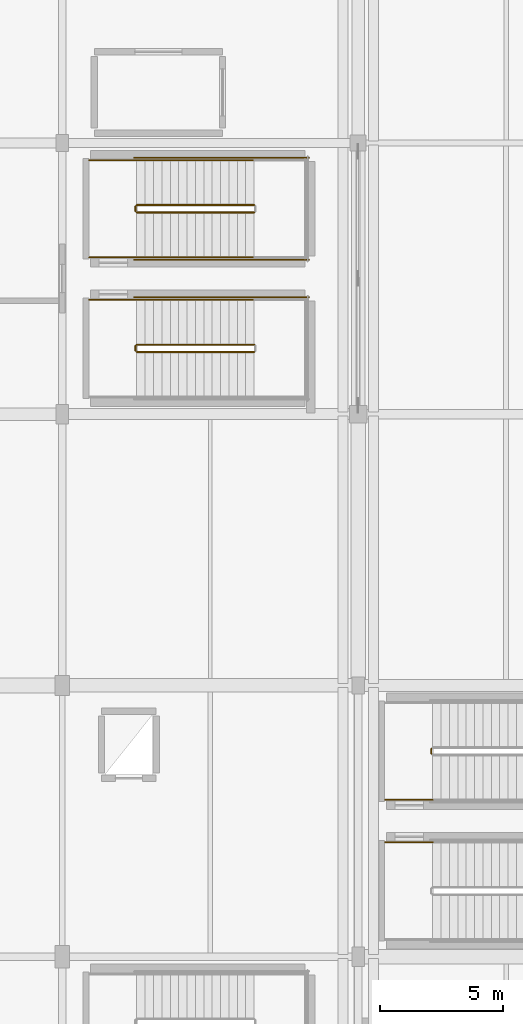
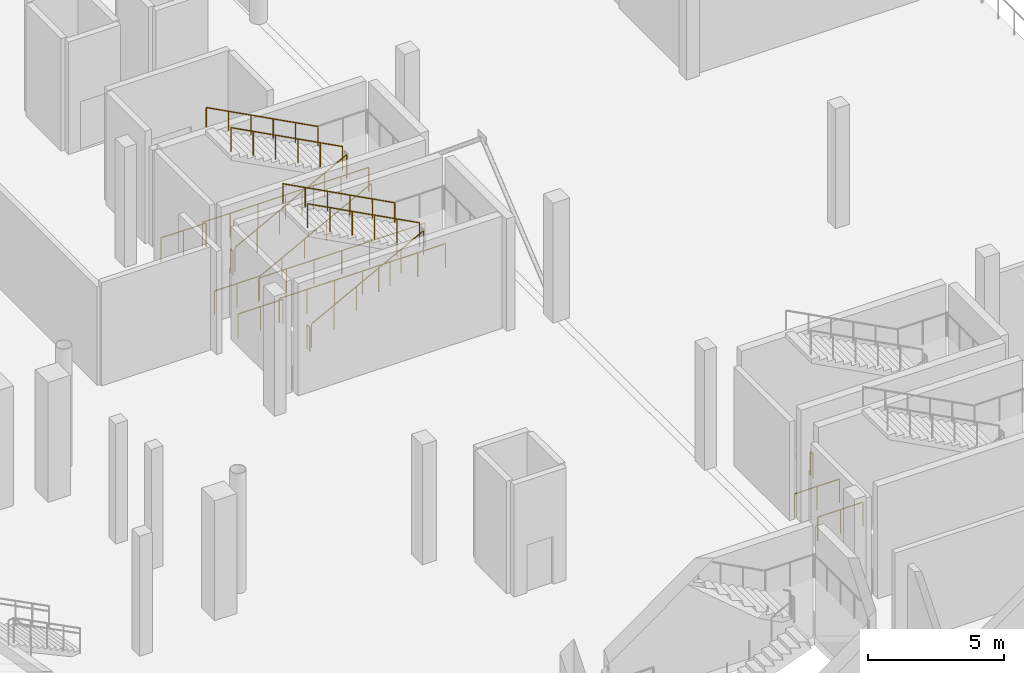
# One storey, part 116 of 120: 18 railings.
"""IFC4 building model written with IfcOpenShell, lengths in metres."""

from ifc_helpers import new_model, si_unit, direction, frame, origin, origin_2d, place, context, subcontext, project, spatial, circle, extrude, material, type_object, element, save


model = new_model("IFC4")

# Units and contexts
model_context = context("Model", 3, precision=1e-05, world=origin(), true_north=direction((0.0, 1.0)))
body_context = subcontext(model_context, "Body", "Model", "MODEL_VIEW")
ifc_project = project(units=[si_unit("LENGTHUNIT", "METRE"), si_unit("AREAUNIT", "SQUARE_METRE"), si_unit("VOLUMEUNIT", "CUBIC_METRE"), si_unit("PLANEANGLEUNIT", "RADIAN"), si_unit("MASSUNIT", "GRAM", prefix="KILO")], contexts=[model_context])

# Site, building, storey
site_placement = place(None, origin())
site = spatial("IfcSite", under=ifc_project, at=site_placement, CompositionType="ELEMENT")
building_placement = place(site_placement, origin())
building = spatial("IfcBuilding", under=site, at=building_placement, Name="Luwafu Chhajja Arena", CompositionType="ELEMENT")
storey_placement = place(building_placement, origin())
storey = spatial("IfcBuildingStorey", under=building, at=storey_placement, Name="L00", CompositionType="ELEMENT", Elevation=0.0)

# Railings
ifc_material_1 = material(Name="Stainless steel handrail", Category="steel")
railing_type_1 = type_object("IfcRailingType", Name="Stair Pitch Wall Handrail 920", PredefinedType="HANDRAIL", material=ifc_material_1)
railing_1_placement = place(storey_placement, frame((159.780029296875, 81.639892578125, 2.8798828125)))
element("IfcRailing", 1, at=railing_1_placement, inside=storey, type_object=railing_type_1, Name="L00 ST-07 stair handrail 2", PredefinedType="HANDRAIL", context=body_context, shape_type="SweptSolid", body=[
    extrude(circle(Radius=0.02392578125, at=origin_2d()), frame((0.0, 0.0, 0.8759765625), z_axis=(-0.883786813738, 0.0, 0.467889803119), x_axis=(0.0, -1.0, 0.0)), (0.0, 0.0, 1.0), 5.385986328125),
    extrude(circle(Radius=0.02099609375, at=origin_2d()), origin(), (0.0, 0.0, 1.0), 0.851806640625),
    extrude(circle(Radius=0.02099609375, at=origin_2d()), frame((-0.951904296875, 0.0, 0.50390625)), (0.0, 0.0, 1.0), 0.851806640625),
    extrude(circle(Radius=0.02099609375, at=origin_2d()), frame((-1.904052734375, 0.0, 1.008056640625)), (0.0, 0.0, 1.0), 0.851806640625),
    extrude(circle(Radius=0.02099609375, at=origin_2d()), frame((-2.85595703125, 0.0, 1.511962890625)), (0.0, 0.0, 1.0), 0.851806640625),
    extrude(circle(Radius=0.02099609375, at=origin_2d()), frame((-3.80810546875, 0.0, 2.01611328125)), (0.0, 0.0, 1.0), 0.851806640625),
    extrude(circle(Radius=0.02099609375, at=origin_2d()), frame((-4.760009765625, 0.0, 2.52001953125)), (0.0, 0.0, 1.0), 0.851806640625),
])
railing_2_placement = place(storey_placement, frame((155.02001953125, 83.360107421875, 0.179931640625)))
element("IfcRailing", 2, at=railing_2_placement, inside=storey, type_object=railing_type_1, Name="L00 ST-08 stair handrail 1", PredefinedType="HANDRAIL", context=body_context, shape_type="SweptSolid", body=[
    extrude(circle(Radius=0.02392578125, at=origin_2d()), frame((0.0, 0.0, 0.8759765625), z_axis=(0.883786813738, 0.0, 0.467889803119), x_axis=(0.0, 1.0, 0.0)), (0.0, 0.0, 1.0), 5.385986328125),
    extrude(circle(Radius=0.02099609375, at=origin_2d()), origin(), (0.0, 0.0, 1.0), 0.851806640625),
    extrude(circle(Radius=0.02099609375, at=origin_2d()), frame((0.951904296875, 0.0, 0.50390625)), (0.0, 0.0, 1.0), 0.851806640625),
    extrude(circle(Radius=0.02099609375, at=origin_2d()), frame((1.904052734375, 0.0, 1.008056640625)), (0.0, 0.0, 1.0), 0.851806640625),
    extrude(circle(Radius=0.02099609375, at=origin_2d()), frame((2.85595703125, 0.0, 1.511962890625)), (0.0, 0.0, 1.0), 0.851806640625),
    extrude(circle(Radius=0.02099609375, at=origin_2d()), frame((3.80810546875, 0.0, 2.01611328125)), (0.0, 0.0, 1.0), 0.851806640625),
    extrude(circle(Radius=0.02099609375, at=origin_2d()), frame((4.760009765625, 0.0, 2.52001953125)), (0.0, 0.0, 1.0), 0.851806640625),
])
railing_3_placement = place(storey_placement, frame((159.780029296875, 87.300048828125, 2.8798828125)))
element("IfcRailing", 3, at=railing_3_placement, inside=storey, type_object=railing_type_1, Name="L00 ST-08 stair handrail 2", PredefinedType="HANDRAIL", context=body_context, shape_type="SweptSolid", body=[
    extrude(circle(Radius=0.02392578125, at=origin_2d()), frame((0.0, 0.0, 0.8759765625), z_axis=(-0.883786813738, 0.0, 0.467889803119), x_axis=(0.0, -1.0, 0.0)), (0.0, 0.0, 1.0), 5.385986328125),
    extrude(circle(Radius=0.02099609375, at=origin_2d()), origin(), (0.0, 0.0, 1.0), 0.851806640625),
    extrude(circle(Radius=0.02099609375, at=origin_2d()), frame((-0.951904296875, 0.0, 0.50390625)), (0.0, 0.0, 1.0), 0.851806640625),
    extrude(circle(Radius=0.02099609375, at=origin_2d()), frame((-1.904052734375, 0.0, 1.008056640625)), (0.0, 0.0, 1.0), 0.851806640625),
    extrude(circle(Radius=0.02099609375, at=origin_2d()), frame((-2.85595703125, 0.0, 1.511962890625)), (0.0, 0.0, 1.0), 0.851806640625),
    extrude(circle(Radius=0.02099609375, at=origin_2d()), frame((-3.80810546875, 0.0, 2.01611328125)), (0.0, 0.0, 1.0), 0.851806640625),
    extrude(circle(Radius=0.02099609375, at=origin_2d()), frame((-4.760009765625, 0.0, 2.52001953125)), (0.0, 0.0, 1.0), 0.851806640625),
])
ifc_material_2 = material(Name="Stainless steel balustrade", Category="steel")
railing_type_2 = type_object("IfcRailingType", Name="Stair and Terrace Guard Balustrade 1100", PredefinedType="BALUSTRADE", material=ifc_material_2)
railing_4_placement = place(storey_placement, frame((155.02001953125, 79.52001953125, 0.179931640625)))
element("IfcRailing", 4, at=railing_4_placement, inside=storey, type_object=railing_type_2, Name="L00 ST-07 stair guard 1", PredefinedType="BALUSTRADE", context=body_context, shape_type="SweptSolid", body=[
    extrude(circle(Radius=0.02392578125, at=origin_2d()), frame((0.0, 0.0, 1.076171875), z_axis=(0.883786813738, 0.0, 0.467889803119), x_axis=(0.0, 1.0, 0.0)), (0.0, 0.0, 1.0), 5.385986328125),
    extrude(circle(Radius=0.02099609375, at=origin_2d()), origin(), (0.0, 0.0, 1.0), 1.052001953125),
    extrude(circle(Radius=0.02099609375, at=origin_2d()), frame((0.951904296875, 0.0, 0.50390625)), (0.0, 0.0, 1.0), 1.052001953125),
    extrude(circle(Radius=0.02099609375, at=origin_2d()), frame((1.904052734375, 0.0, 1.008056640625)), (0.0, 0.0, 1.0), 1.052001953125),
    extrude(circle(Radius=0.02099609375, at=origin_2d()), frame((2.85595703125, 0.0, 1.511962890625)), (0.0, 0.0, 1.0), 1.052001953125),
    extrude(circle(Radius=0.02099609375, at=origin_2d()), frame((3.80810546875, 0.0, 2.01611328125)), (0.0, 0.0, 1.0), 1.052001953125),
    extrude(circle(Radius=0.02099609375, at=origin_2d()), frame((4.760009765625, 0.0, 2.52001953125)), (0.0, 0.0, 1.0), 1.052001953125),
])
railing_5_placement = place(storey_placement, frame((159.780029296875, 79.820068359375, 2.8798828125)))
element("IfcRailing", 5, at=railing_5_placement, inside=storey, type_object=railing_type_2, Name="L00 ST-07 stair guard 6", PredefinedType="BALUSTRADE", context=body_context, shape_type="SweptSolid", body=[
    extrude(circle(Radius=0.02392578125, at=origin_2d()), frame((0.0, 0.0, 1.076171875), z_axis=(-0.883786813738, 0.0, 0.467889803119), x_axis=(0.0, -1.0, 0.0)), (0.0, 0.0, 1.0), 5.385986328125),
    extrude(circle(Radius=0.02099609375, at=origin_2d()), origin(), (0.0, 0.0, 1.0), 1.052001953125),
    extrude(circle(Radius=0.02099609375, at=origin_2d()), frame((-0.951904296875, 0.0, 0.50390625)), (0.0, 0.0, 1.0), 1.052001953125),
    extrude(circle(Radius=0.02099609375, at=origin_2d()), frame((-1.904052734375, 0.0, 1.008056640625)), (0.0, 0.0, 1.0), 1.052001953125),
    extrude(circle(Radius=0.02099609375, at=origin_2d()), frame((-2.85595703125, 0.0, 1.511962890625)), (0.0, 0.0, 1.0), 1.052001953125),
    extrude(circle(Radius=0.02099609375, at=origin_2d()), frame((-3.80810546875, 0.0, 2.01611328125)), (0.0, 0.0, 1.0), 1.052001953125),
    extrude(circle(Radius=0.02099609375, at=origin_2d()), frame((-4.760009765625, 0.0, 2.52001953125)), (0.0, 0.0, 1.0), 1.052001953125),
])
railing_6_placement = place(storey_placement, frame((154.969970703125, 79.570068359375, 0.0)))
element("IfcRailing", 6, at=railing_6_placement, inside=storey, type_object=railing_type_2, Name="L00 ST-07 stair guard 7", PredefinedType="BALUSTRADE", context=body_context, shape_type="SweptSolid", body=[
    extrude(circle(Radius=0.02392578125, at=origin_2d()), frame((0.0, 0.0, 1.076171875), z_axis=(0.0, 1.0, 0.0), x_axis=(-1.0, 0.0, 0.0)), (0.0, 0.0, 1.0), 0.199951171875),
    extrude(circle(Radius=0.02099609375, at=origin_2d()), origin(), (0.0, 0.0, 1.0), 1.052001953125),
    extrude(circle(Radius=0.02099609375, at=origin_2d()), frame((0.0, 0.199951171875, 0.0)), (0.0, 0.0, 1.0), 1.052001953125),
])
railing_7_placement = place(storey_placement, frame((153.10009765625, 81.639892578125, 0.0)))
element("IfcRailing", 7, at=railing_7_placement, inside=storey, type_object=railing_type_2, Name="L00 ST-07 stair guard 9", PredefinedType="BALUSTRADE", context=body_context, shape_type="SweptSolid", body=[
    extrude(circle(Radius=0.02392578125, at=origin_2d()), frame((0.0, 0.0, 1.076171875), z_axis=(1.0, 0.0, 0.0), x_axis=(0.0, 1.0, 0.0)), (0.0, 0.0, 1.0), 1.919921875),
    extrude(circle(Radius=0.02099609375, at=origin_2d()), origin(), (0.0, 0.0, 1.0), 1.052001953125),
    extrude(circle(Radius=0.02099609375, at=origin_2d()), frame((0.9599609375, 0.0, 0.0)), (0.0, 0.0, 1.0), 1.052001953125),
    extrude(circle(Radius=0.02099609375, at=origin_2d()), frame((1.919921875, 0.0, 0.0)), (0.0, 0.0, 1.0), 1.052001953125),
])
railing_8_placement = place(storey_placement, frame((154.919921875, 81.739990234375, 0.0)))
element("IfcRailing", 8, at=railing_8_placement, inside=storey, type_object=railing_type_2, Name="L00 ST-07 stair guard 11", PredefinedType="BALUSTRADE", context=body_context, shape_type="SweptSolid", body=[
    extrude(circle(Radius=0.02392578125, at=origin_2d()), frame((0.0, 0.0, 1.076171875), z_axis=(1.0, 0.0, 0.0), x_axis=(0.0, 1.0, 0.0)), (0.0, 0.0, 1.0), 7.080078125),
    extrude(circle(Radius=0.02099609375, at=origin_2d()), origin(), (0.0, 0.0, 1.0), 1.052001953125),
    extrude(circle(Radius=0.02099609375, at=origin_2d()), frame((1.179931640625, 0.0, 0.0)), (0.0, 0.0, 1.0), 1.052001953125),
    extrude(circle(Radius=0.02099609375, at=origin_2d()), frame((2.360107421875, 0.0, 0.0)), (0.0, 0.0, 1.0), 1.052001953125),
    extrude(circle(Radius=0.02099609375, at=origin_2d()), frame((3.5400390625, 0.0, 0.0)), (0.0, 0.0, 1.0), 1.052001953125),
    extrude(circle(Radius=0.02099609375, at=origin_2d()), frame((4.719970703125, 0.0, 0.0)), (0.0, 0.0, 1.0), 1.052001953125),
    extrude(circle(Radius=0.02099609375, at=origin_2d()), frame((5.900146484375, 0.0, 0.0)), (0.0, 0.0, 1.0), 1.052001953125),
    extrude(circle(Radius=0.02099609375, at=origin_2d()), frame((7.080078125, 0.0, 0.0)), (0.0, 0.0, 1.0), 1.052001953125),
])
railing_9_placement = place(storey_placement, frame((155.02001953125, 85.179931640625, 0.179931640625)))
element("IfcRailing", 9, at=railing_9_placement, inside=storey, type_object=railing_type_2, Name="L00 ST-08 stair guard 1", PredefinedType="BALUSTRADE", context=body_context, shape_type="SweptSolid", body=[
    extrude(circle(Radius=0.02392578125, at=origin_2d()), frame((0.0, 0.0, 1.076171875), z_axis=(0.883786813738, 0.0, 0.467889803119), x_axis=(0.0, 1.0, 0.0)), (0.0, 0.0, 1.0), 5.385986328125),
    extrude(circle(Radius=0.02099609375, at=origin_2d()), origin(), (0.0, 0.0, 1.0), 1.052001953125),
    extrude(circle(Radius=0.02099609375, at=origin_2d()), frame((0.951904296875, 0.0, 0.50390625)), (0.0, 0.0, 1.0), 1.052001953125),
    extrude(circle(Radius=0.02099609375, at=origin_2d()), frame((1.904052734375, 0.0, 1.008056640625)), (0.0, 0.0, 1.0), 1.052001953125),
    extrude(circle(Radius=0.02099609375, at=origin_2d()), frame((2.85595703125, 0.0, 1.511962890625)), (0.0, 0.0, 1.0), 1.052001953125),
    extrude(circle(Radius=0.02099609375, at=origin_2d()), frame((3.80810546875, 0.0, 2.01611328125)), (0.0, 0.0, 1.0), 1.052001953125),
    extrude(circle(Radius=0.02099609375, at=origin_2d()), frame((4.760009765625, 0.0, 2.52001953125)), (0.0, 0.0, 1.0), 1.052001953125),
])
railing_10_placement = place(storey_placement, frame((159.780029296875, 85.47998046875, 2.8798828125)))
element("IfcRailing", 10, at=railing_10_placement, inside=storey, type_object=railing_type_2, Name="L00 ST-08 stair guard 6", PredefinedType="BALUSTRADE", context=body_context, shape_type="SweptSolid", body=[
    extrude(circle(Radius=0.02392578125, at=origin_2d()), frame((0.0, 0.0, 1.076171875), z_axis=(-0.883786813738, 0.0, 0.467889803119), x_axis=(0.0, -1.0, 0.0)), (0.0, 0.0, 1.0), 5.385986328125),
    extrude(circle(Radius=0.02099609375, at=origin_2d()), origin(), (0.0, 0.0, 1.0), 1.052001953125),
    extrude(circle(Radius=0.02099609375, at=origin_2d()), frame((-0.951904296875, 0.0, 0.50390625)), (0.0, 0.0, 1.0), 1.052001953125),
    extrude(circle(Radius=0.02099609375, at=origin_2d()), frame((-1.904052734375, 0.0, 1.008056640625)), (0.0, 0.0, 1.0), 1.052001953125),
    extrude(circle(Radius=0.02099609375, at=origin_2d()), frame((-2.85595703125, 0.0, 1.511962890625)), (0.0, 0.0, 1.0), 1.052001953125),
    extrude(circle(Radius=0.02099609375, at=origin_2d()), frame((-3.80810546875, 0.0, 2.01611328125)), (0.0, 0.0, 1.0), 1.052001953125),
    extrude(circle(Radius=0.02099609375, at=origin_2d()), frame((-4.760009765625, 0.0, 2.52001953125)), (0.0, 0.0, 1.0), 1.052001953125),
])
railing_11_placement = place(storey_placement, frame((154.969970703125, 85.22998046875, 0.0)))
element("IfcRailing", 11, at=railing_11_placement, inside=storey, type_object=railing_type_2, Name="L00 ST-08 stair guard 7", PredefinedType="BALUSTRADE", context=body_context, shape_type="SweptSolid", body=[
    extrude(circle(Radius=0.02392578125, at=origin_2d()), frame((0.0, 0.0, 1.076171875), z_axis=(0.0, 1.0, 0.0), x_axis=(-1.0, 0.0, 0.0)), (0.0, 0.0, 1.0), 0.199951171875),
    extrude(circle(Radius=0.02099609375, at=origin_2d()), origin(), (0.0, 0.0, 1.0), 1.052001953125),
    extrude(circle(Radius=0.02099609375, at=origin_2d()), frame((0.0, 0.199951171875, 0.0)), (0.0, 0.0, 1.0), 1.052001953125),
])
for number, where, name in (
    (12, (153.10009765625, 83.360107421875, 0.0), "L00 ST-08 stair guard 8"),
    (13, (153.10009765625, 87.300048828125, 0.0), "L00 ST-08 stair guard 9"),
):
    element("IfcRailing", number, at=place(storey_placement, frame(where)), inside=storey, type_object=railing_type_2, Name=name, PredefinedType="BALUSTRADE", context=body_context, shape_type="SweptSolid", body=[
        extrude(circle(Radius=0.02392578125, at=origin_2d()), frame((0.0, 0.0, 1.076171875), z_axis=(1.0, 0.0, 0.0), x_axis=(0.0, 1.0, 0.0)), (0.0, 0.0, 1.0), 1.919921875),
        extrude(circle(Radius=0.02099609375, at=origin_2d()), origin(), (0.0, 0.0, 1.0), 1.052001953125),
        extrude(circle(Radius=0.02099609375, at=origin_2d()), frame((0.9599609375, 0.0, 0.0)), (0.0, 0.0, 1.0), 1.052001953125),
        extrude(circle(Radius=0.02099609375, at=origin_2d()), frame((1.919921875, 0.0, 0.0)), (0.0, 0.0, 1.0), 1.052001953125),
    ])
for number, where, name in (
    (14, (154.919921875, 83.260009765625, 0.0), "L00 ST-08 stair guard 10"),
    (15, (154.919921875, 87.39990234375, 0.0), "L00 ST-08 stair guard 11"),
):
    element("IfcRailing", number, at=place(storey_placement, frame(where)), inside=storey, type_object=railing_type_2, Name=name, PredefinedType="BALUSTRADE", context=body_context, shape_type="SweptSolid", body=[
        extrude(circle(Radius=0.02392578125, at=origin_2d()), frame((0.0, 0.0, 1.076171875), z_axis=(1.0, 0.0, 0.0), x_axis=(0.0, 1.0, 0.0)), (0.0, 0.0, 1.0), 7.080078125),
        extrude(circle(Radius=0.02099609375, at=origin_2d()), origin(), (0.0, 0.0, 1.0), 1.052001953125),
        extrude(circle(Radius=0.02099609375, at=origin_2d()), frame((1.179931640625, 0.0, 0.0)), (0.0, 0.0, 1.0), 1.052001953125),
        extrude(circle(Radius=0.02099609375, at=origin_2d()), frame((2.360107421875, 0.0, 0.0)), (0.0, 0.0, 1.0), 1.052001953125),
        extrude(circle(Radius=0.02099609375, at=origin_2d()), frame((3.5400390625, 0.0, 0.0)), (0.0, 0.0, 1.0), 1.052001953125),
        extrude(circle(Radius=0.02099609375, at=origin_2d()), frame((4.719970703125, 0.0, 0.0)), (0.0, 0.0, 1.0), 1.052001953125),
        extrude(circle(Radius=0.02099609375, at=origin_2d()), frame((5.900146484375, 0.0, 0.0)), (0.0, 0.0, 1.0), 1.052001953125),
        extrude(circle(Radius=0.02099609375, at=origin_2d()), frame((7.080078125, 0.0, 0.0)), (0.0, 0.0, 1.0), 1.052001953125),
    ])
railing_12_placement = place(storey_placement, frame((165.10009765625, 59.639892578125, 0.0)))
element("IfcRailing", 16, at=railing_12_placement, inside=storey, type_object=railing_type_2, Name="L00 ST-19 stair guard 9", PredefinedType="BALUSTRADE", context=body_context, shape_type="SweptSolid", body=[
    extrude(circle(Radius=0.02392578125, at=origin_2d()), frame((0.0, 0.0, 1.076171875), z_axis=(1.0, 0.0, 0.0), x_axis=(0.0, 1.0, 0.0)), (0.0, 0.0, 1.0), 1.919921875),
    extrude(circle(Radius=0.02099609375, at=origin_2d()), origin(), (0.0, 0.0, 1.0), 1.052001953125),
    extrude(circle(Radius=0.02099609375, at=origin_2d()), frame((0.9599609375, 0.0, 0.0)), (0.0, 0.0, 1.0), 1.052001953125),
    extrude(circle(Radius=0.02099609375, at=origin_2d()), frame((1.919921875, 0.0, 0.0)), (0.0, 0.0, 1.0), 1.052001953125),
])
railing_13_placement = place(storey_placement, frame((166.969970703125, 63.22998046875, 0.0)))
element("IfcRailing", 17, at=railing_13_placement, inside=storey, type_object=railing_type_2, Name="L00 ST-20 stair guard 7", PredefinedType="BALUSTRADE", context=body_context, shape_type="SweptSolid", body=[
    extrude(circle(Radius=0.02392578125, at=origin_2d()), frame((0.0, 0.0, 1.076171875), z_axis=(0.0, 1.0, 0.0), x_axis=(-1.0, 0.0, 0.0)), (0.0, 0.0, 1.0), 0.199951171875),
    extrude(circle(Radius=0.02099609375, at=origin_2d()), origin(), (0.0, 0.0, 1.0), 1.052001953125),
    extrude(circle(Radius=0.02099609375, at=origin_2d()), frame((0.0, 0.199951171875, 0.0)), (0.0, 0.0, 1.0), 1.052001953125),
])
railing_14_placement = place(storey_placement, frame((165.10009765625, 61.360107421875, 0.0)))
element("IfcRailing", 18, at=railing_14_placement, inside=storey, type_object=railing_type_2, Name="L00 ST-20 stair guard 8", PredefinedType="BALUSTRADE", context=body_context, shape_type="SweptSolid", body=[
    extrude(circle(Radius=0.02392578125, at=origin_2d()), frame((0.0, 0.0, 1.076171875), z_axis=(1.0, 0.0, 0.0), x_axis=(0.0, 1.0, 0.0)), (0.0, 0.0, 1.0), 1.919921875),
    extrude(circle(Radius=0.02099609375, at=origin_2d()), origin(), (0.0, 0.0, 1.0), 1.052001953125),
    extrude(circle(Radius=0.02099609375, at=origin_2d()), frame((0.9599609375, 0.0, 0.0)), (0.0, 0.0, 1.0), 1.052001953125),
    extrude(circle(Radius=0.02099609375, at=origin_2d()), frame((1.919921875, 0.0, 0.0)), (0.0, 0.0, 1.0), 1.052001953125),
])

save(model, "model.ifc")
